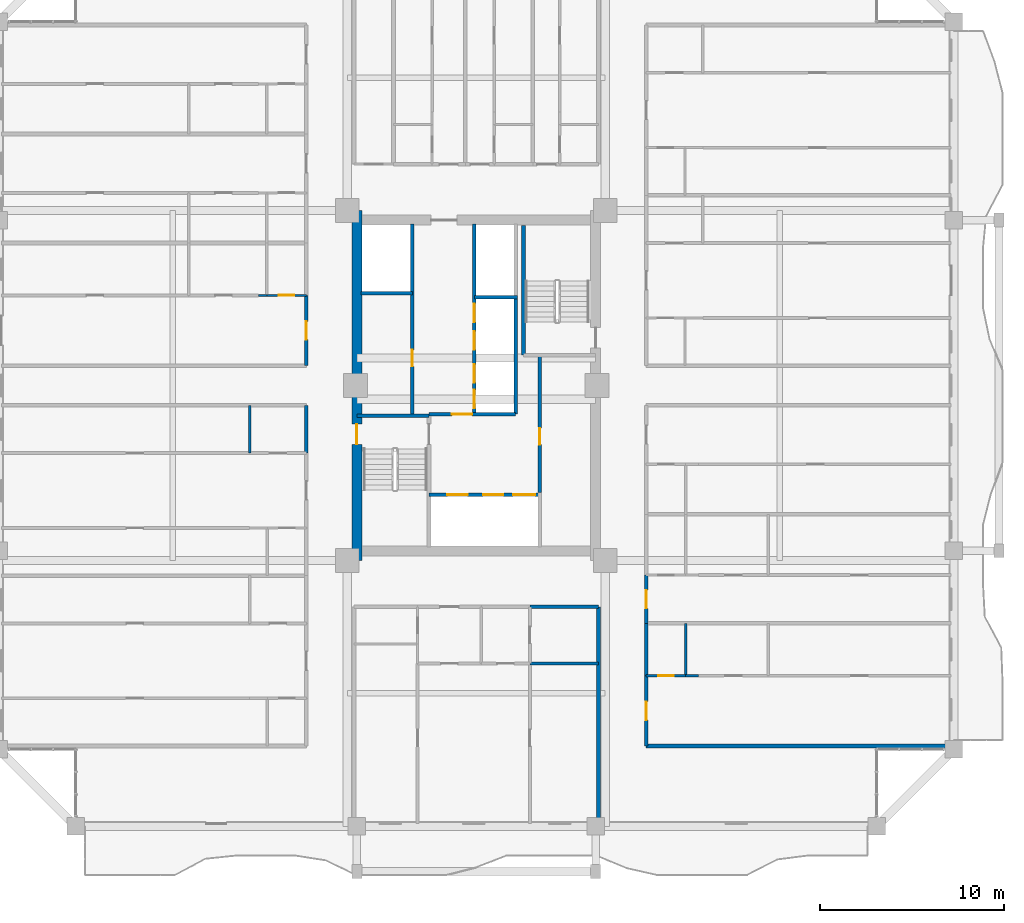
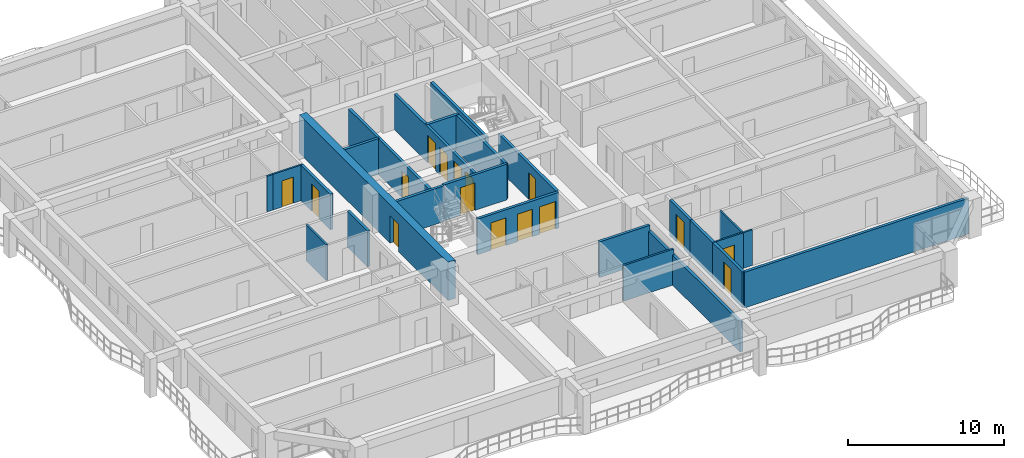
# One storey, part 16 of 26: 26 walls, 16 doors, 16 openings.
"""IFC4 building model written with IfcOpenShell, lengths in metres."""

import ifcopenshell
import ifcopenshell.guid

model = None  # the IFC model being written
_history = None  # IfcOwnerHistory: only IFC2X3 demands one
_inside = {}  # id of a spatial element -> (the spatial element, [elements in it])
_under = {}  # id of a project, library or spatial element -> (it, [spatial elements below it])
_declared = {}  # id of a project -> (the project, [libraries it declares])
_typed = {}  # id of a type object -> (the type object, [elements of that type])
_made_of = {}  # id of a material, layer set ... -> (it, [elements and type objects made of it])


def new_model(schema):
    """Start an empty IFC model of exactly this schema.

    Asked for "IFC4X3", IfcOpenShell would pick the latest addendum, in which some entities
    have other attributes; the version numbers below select the first issue.
    IFC2X3 requires an IfcOwnerHistory on every rooted entity: one is made here for all.
    """
    global model, _history
    if schema == "IFC4X3":
        model = ifcopenshell.file(schema_version=(4, 3, 0, 0))
    else:
        model = ifcopenshell.file(schema=schema)
    _inside.clear()
    _under.clear()
    _declared.clear()
    _typed.clear()
    _made_of.clear()
    _history = None
    if model.schema == "IFC2X3":
        org = make("IfcOrganization", Name="unknown")
        user = make(
            "IfcPersonAndOrganization",
            ThePerson=make("IfcPerson", FamilyName="unknown"),
            TheOrganization=org,
        )
        app = make(
            "IfcApplication",
            ApplicationDeveloper=org,
            Version="unknown",
            ApplicationFullName="unknown",
            ApplicationIdentifier="unknown",
        )
        _history = make(
            "IfcOwnerHistory",
            OwningUser=user,
            OwningApplication=app,
            ChangeAction="ADDED",
            CreationDate=0,
        )
    return model


def make(cls, **values):
    """One entity of the class cls with the attributes given. An attribute that is None is left unset."""
    return model.create_entity(
        cls, **{name: value for name, value in values.items() if value is not None}
    )


def rooted(cls, **values):
    """An entity with a GlobalId (a new one), such as an element, a storey or a relation."""
    return make(cls, GlobalId=ifcopenshell.guid.new(), OwnerHistory=_history, **values)


def si_unit(unit_type, name, prefix=None):
    """IfcSIUnit, for example si_unit("LENGTHUNIT", "METRE", prefix="MILLI")."""
    return make("IfcSIUnit", UnitType=unit_type, Prefix=prefix, Name=name)


def assignment(units):
    """IfcUnitAssignment: the units of a project."""
    return None if units is None else make("IfcUnitAssignment", Units=units)


def point(xyz):
    """IfcCartesianPoint."""
    return None if xyz is None else make("IfcCartesianPoint", Coordinates=xyz)


def direction(xyz):
    """IfcDirection."""
    return None if xyz is None else make("IfcDirection", DirectionRatios=xyz)


def frame(location, z_axis=None, x_axis=None):
    """IfcAxis2Placement3D, a coordinate frame: its origin and axes. An axis left out is left unset."""
    return make(
        "IfcAxis2Placement3D",
        Location=point(location),
        Axis=direction(z_axis),
        RefDirection=direction(x_axis),
    )


def frame_2d(location, x_axis=None):
    """IfcAxis2Placement2D, a coordinate frame in the plane: its origin and x axis."""
    return make(
        "IfcAxis2Placement2D", Location=point(location), RefDirection=direction(x_axis)
    )


def origin():
    """The frame at (0, 0, 0) with its axes left unset."""
    return frame((0.0, 0.0, 0.0))


def place(relative_to, where):
    """IfcLocalPlacement: puts the frame where relative to a parent placement (None: the world)."""
    return make(
        "IfcLocalPlacement", PlacementRelTo=relative_to, RelativePlacement=where
    )


def context(
    kind, dimensions, precision=None, world=None, true_north=None, identifier=None
):
    """IfcGeometricRepresentationContext, for example the 3D "Model" context."""
    return make(
        "IfcGeometricRepresentationContext",
        ContextIdentifier=identifier,
        ContextType=kind,
        CoordinateSpaceDimension=dimensions,
        Precision=precision,
        WorldCoordinateSystem=world,
        TrueNorth=true_north,
    )


def subcontext(parent, identifier, kind, view, scale=None):
    """IfcGeometricRepresentationSubContext, for example "Body" below "Model"."""
    return make(
        "IfcGeometricRepresentationSubContext",
        ContextIdentifier=identifier,
        ContextType=kind,
        ParentContext=parent,
        TargetScale=scale,
        TargetView=view,
    )


def project(units=None, contexts=None):
    """IfcProject with its units and contexts."""
    return rooted(
        "IfcProject",
        Name="project",
        RepresentationContexts=contexts,
        UnitsInContext=assignment(units),
    )


def spatial(cls, under=None, at=None, **own):
    """A site, building, storey or space (cls), placed at a placement, below another one or the project."""
    s = rooted(cls, ObjectPlacement=at, **own)
    if under is not None:
        _under.setdefault(under.id(), (under, []))[1].append(s)
    return s


def profile(cls, at=None, kind="AREA", **sizes):
    """A parametric profile (cls). Its sizes go by their IFC names, for example OverallWidth=200.0."""
    return make(cls, ProfileType=kind, Position=at, **sizes)


def rectangle(**sizes):
    """IfcRectangleProfileDef."""
    return profile("IfcRectangleProfileDef", **sizes)


def extrude(swept, where, along, depth):
    """IfcExtrudedAreaSolid: the profile swept, set in the frame where, extruded along a direction by depth."""
    return make(
        "IfcExtrudedAreaSolid",
        SweptArea=swept,
        Position=where,
        ExtrudedDirection=direction(along),
        Depth=depth,
    )


def shape(context_of_items, identifier, shape_type, items):
    """IfcShapeRepresentation: the items that make up one representation, for example the "Body"."""
    return make(
        "IfcShapeRepresentation",
        ContextOfItems=context_of_items,
        RepresentationIdentifier=identifier,
        RepresentationType=shape_type,
        Items=items,
    )


def source(mapping_origin, context_of_items, identifier, shape_type, items):
    """IfcRepresentationMap: a shape defined once, which mapped items show again and again."""
    return make(
        "IfcRepresentationMap",
        MappingOrigin=mapping_origin,
        MappedRepresentation=shape(context_of_items, identifier, shape_type, items),
    )


def transform(
    local_origin,
    x_axis=None,
    y_axis=None,
    z_axis=None,
    scale=None,
    scale2=None,
    scale3=None,
    uniform=True,
):
    """IfcCartesianTransformationOperator3D, or its non-uniform kind. x_axis, y_axis, z_axis: its Axis1, 2, 3."""
    if uniform:
        return make(
            "IfcCartesianTransformationOperator3D",
            Axis1=direction(x_axis),
            Axis2=direction(y_axis),
            LocalOrigin=point(local_origin),
            Scale=scale,
            Axis3=direction(z_axis),
        )
    return make(
        "IfcCartesianTransformationOperator3DnonUniform",
        Axis1=direction(x_axis),
        Axis2=direction(y_axis),
        LocalOrigin=point(local_origin),
        Scale=scale,
        Axis3=direction(z_axis),
        Scale2=scale2,
        Scale3=scale3,
    )


def mapped(mapping_source, mapping_target):
    """IfcMappedItem: shows the shape of a source again, moved by a transform."""
    return make(
        "IfcMappedItem", MappingSource=mapping_source, MappingTarget=mapping_target
    )


def material(Name=None, Category=None):
    """IfcMaterial."""
    return make("IfcMaterial", Name=Name, Category=Category)


def layer(
    of_material, thickness, ventilated=None, Name=None, Category=None, Priority=None
):
    """IfcMaterialLayer: one layer of a wall or slab, of a material (None: an air gap)."""
    return make(
        "IfcMaterialLayer",
        Material=of_material,
        LayerThickness=thickness,
        IsVentilated=ventilated,
        Name=Name,
        Category=Category,
        Priority=Priority,
    )


def layer_set(layers, Name=None):
    """IfcMaterialLayerSet."""
    return make("IfcMaterialLayerSet", MaterialLayers=layers, LayerSetName=Name)


def made_of(thing, what):
    """Note that an element or type object is made of a material, layer set ...; save() writes the relation."""
    if what is not None:
        _made_of.setdefault(what.id(), (what, []))[1].append(thing)
    return thing


def type_object(cls, material=None, **own):
    """A type object (cls), such as IfcWallType, which elements share."""
    return made_of(rooted(cls, **own), material)


def element(
    cls,
    number,
    at=None,
    inside=None,
    cuts=None,
    type_object=None,
    material=None,
    context=None,
    identifier="Body",
    shape_type=None,
    held_by="IfcProductDefinitionShape",
    body=None,
    shapes=None,
    **own,
):
    """One element of the class cls, such as IfcWall. Its Tag is "e" and its number.

    at: its placement. inside: the storey or other place that contains it. cuts: it is an
    opening in that element (IfcRelVoidsElement). A single representation is given by context,
    identifier, shape_type and body (its items); several are given by shapes. held_by: the class
    of the entity that holds the representations. save() writes the other relations.
    """
    e = rooted(cls, Tag="e%d" % number, ObjectPlacement=at, **own)
    if body is not None:
        shapes = [shape(context, identifier, shape_type, body)]
    if shapes is not None:
        e.Representation = make(held_by, Representations=shapes)
    if inside is not None:
        _inside.setdefault(inside.id(), (inside, []))[1].append(e)
    if cuts is not None:
        rooted(
            "IfcRelVoidsElement", RelatingBuildingElement=cuts, RelatedOpeningElement=e
        )
    if type_object is not None:
        _typed.setdefault(type_object.id(), (type_object, []))[1].append(e)
    return made_of(e, material)


def fill(opening, filler):
    """IfcRelFillsElement: the door or window that sits in an opening."""
    return rooted(
        "IfcRelFillsElement",
        RelatingOpeningElement=opening,
        RelatedBuildingElement=filler,
    )


def aggregate(whole, parts):
    """IfcRelAggregates: a whole, such as a stair, and the parts it consists of."""
    return rooted("IfcRelAggregates", RelatingObject=whole, RelatedObjects=parts)


def save(model, path):
    """Write the relations noted so far, then the file.

    IfcRelAggregates (storeys below a building ...), IfcRelContainedInSpatialStructure (elements
    in a storey), IfcRelDefinesByType, IfcRelAssociatesMaterial and IfcRelDeclares: one each for
    every whole, place, type object, material and project.
    """
    for whole, parts in _under.values():
        aggregate(whole, parts)
    for where, things in _inside.values():
        rooted(
            "IfcRelContainedInSpatialStructure",
            RelatedElements=things,
            RelatingStructure=where,
        )
    for kind, things in _typed.values():
        rooted("IfcRelDefinesByType", RelatedObjects=things, RelatingType=kind)
    for what, things in _made_of.values():
        rooted("IfcRelAssociatesMaterial", RelatedObjects=things, RelatingMaterial=what)
    for by, libraries in _declared.values():
        rooted("IfcRelDeclares", RelatingContext=by, RelatedDefinitions=libraries)
    model.write(path)


model = new_model("IFC4")

# Units and contexts
model_context = context("Model", 3, precision=1e-05, world=origin(), true_north=direction((0.0, 1.0)))
body_context = subcontext(model_context, "Body", "Model", "MODEL_VIEW")
ifc_project = project(units=[si_unit("LENGTHUNIT", "METRE"), si_unit("AREAUNIT", "SQUARE_METRE"), si_unit("VOLUMEUNIT", "CUBIC_METRE"), si_unit("PLANEANGLEUNIT", "RADIAN"), si_unit("MASSUNIT", "GRAM", prefix="KILO")], contexts=[model_context])

# Site, building, storey
site_placement = place(None, origin())
site = spatial("IfcSite", under=ifc_project, at=site_placement, CompositionType="ELEMENT")
building_placement = place(site_placement, origin())
building = spatial("IfcBuilding", under=site, at=building_placement, Name="Saelheon Loggia Tower", CompositionType="ELEMENT")
storey_placement = place(building_placement, frame((0.0, 0.0, 116.85009765625)))
storey = spatial("IfcBuildingStorey", under=building, at=storey_placement, Name="L37", CompositionType="ELEMENT", Elevation=116.85009765625)

# Wall, opening, door
ifc_material_1 = material(Name="Concrete C50/60", Category="concrete")
ifc_layer_1 = layer(ifc_material_1, 0.550048828125)
ifc_layer_set_1 = layer_set([ifc_layer_1], Name="Concrete C50/60")
wall_type_1 = type_object("IfcWallType", Name="Wall_CoreShear_550", PredefinedType="SHEAR", material=ifc_layer_set_1)
wall_1_placement = place(storey_placement, frame((31.5, 17.47998046875, 0.0), z_axis=(0.0, 0.0, 1.0), x_axis=(0.0, 1.0, 0.0)))
wall_1 = element("IfcWall", 1, at=wall_1_placement, inside=storey, type_object=wall_type_1, Name="L37 Core Shear Wall West", PredefinedType="SHEAR", context=body_context, shape_type="SweptSolid", body=[
    extrude(rectangle(XDim=19.0400390625, YDim=0.550048828125, at=frame_2d((9.52001953125, 0.0))), origin(), (0.0, 0.0, 1.0), 3.0),
])
opening_1_placement = place(wall_1_placement, frame((6.320068359375, 0.0, 0.0)))
opening_1 = element("IfcOpeningElement", 2, at=opening_1_placement, cuts=wall_1, Name="Opening D-FD2", PredefinedType="OPENING", context=body_context, shape_type="SweptSolid", body=[
    extrude(rectangle(XDim=1.10009765625, YDim=2.14990234375, at=frame_2d((0.550048828125, 1.074951171875))), frame((0.0, 0.287109375, 0.0), z_axis=(0.0, -1.0, 0.0), x_axis=(1.0, 0.0, 0.0)), (0.0, 0.0, 1.0), 0.573974609375),
])
ifc_material_2 = material(Name="Galvanised Steel Fire Door", Category="steel")
door_type_1 = type_object("IfcDoorType", Name="Door_Fire_FD60_1100", OperationType="NOTDEFINED", PredefinedType="DOOR", material=ifc_material_2)
shared_shape_1 = source(origin(), body_context, "Body", "SweptSolid", [
    extrude(rectangle(XDim=1.10009765625, YDim=2.14990234375, at=frame_2d((0.550048828125, 1.074951171875))), frame((0.0, 0.02490234375, 0.0), z_axis=(0.0, -1.0, 0.0), x_axis=(1.0, 0.0, 0.0)), (0.0, 0.0, 1.0), 0.050048828125),
])
door_1_placement = place(opening_1_placement, origin())
door_1 = element("IfcDoor", 3, at=door_1_placement, inside=storey, type_object=door_type_1, Name="L37 Stair ST1 Corridor Door", OperationType="SINGLE_SWING_LEFT", OverallHeight=2.14990234375, OverallWidth=1.10009765625, PredefinedType="DOOR", context=body_context, shape_type="MappedRepresentation", body=[
    mapped(shared_shape_1, transform((0.0, 0.0, 0.0), scale=1.0)),
])
fill(opening_1, door_1)

# Walls
ifc_material_3 = material(Name="Lightweight Autoclaved Aerated Concrete Block and Acoustic Gypsum", Category="concrete")
ifc_layer_2 = layer(ifc_material_3, 0.14990234375)
ifc_layer_set_2 = layer_set([ifc_layer_2], Name="Lightweight Autoclaved Aerated Concrete Block and Acoustic Gypsum")
wall_type_2 = type_object("IfcWallType", Name="Wall_Part_150", PredefinedType="PARTITIONING", material=ifc_layer_set_2)
wall_2_placement = place(storey_placement, frame((40.9228515625, 11.8701171875, 0.0), z_axis=(0.0, 0.0, 1.0), x_axis=(1.0, 0.0, 0.0)))
element("IfcWall", 4, at=wall_2_placement, inside=storey, type_object=wall_type_2, Name="L37 S Partition V11", PredefinedType="PARTITIONING", context=body_context, shape_type="SweptSolid", body=[
    extrude(rectangle(XDim=3.72705078125, YDim=0.14990234375, at=frame_2d((1.863525390625, 0.0))), origin(), (0.0, 0.0, 1.0), 2.789794921875),
])
wall_3_placement = place(storey_placement, frame((25.669921875, 23.320068359375, 0.0), z_axis=(0.0, 0.0, 1.0), x_axis=(0.0, 1.0, 0.0)))
element("IfcWall", 5, at=wall_3_placement, inside=storey, type_object=wall_type_2, Name="L37 WS Partition V18", PredefinedType="PARTITIONING", context=body_context, shape_type="SweptSolid", body=[
    extrude(rectangle(XDim=2.599853515625, YDim=0.14990234375, at=frame_2d((1.2998046875, 0.0))), origin(), (0.0, 0.0, 1.0), 2.789794921875),
])
ifc_material_4 = material(Name="Double Acoustic Stud and Fireboard Partition", Category="gypsum")
ifc_layer_3 = layer(ifc_material_4, 0.199951171875)
ifc_layer_set_3 = layer_set([ifc_layer_3], Name="Double Acoustic Stud and Fireboard Partition")
wall_type_3 = type_object("IfcWallType", Name="Wall_Party_200", PredefinedType="PARTITIONING", material=ifc_layer_set_3)
wall_4_placement = place(storey_placement, frame((44.64990234375, 14.949951171875, 0.0), z_axis=(0.0, 0.0, 1.0), x_axis=(0.0, -1.0, 0.0)))
element("IfcWall", 6, at=wall_4_placement, inside=storey, type_object=wall_type_3, Name="L37 S Partition U02", PredefinedType="PARTITIONING", context=body_context, shape_type="SweptSolid", body=[
    extrude(rectangle(XDim=11.800048828125, YDim=0.199951171875, at=frame_2d((5.89990234375, 0.0))), origin(), (0.0, 0.0, 1.0), 2.33984375),
])
wall_5_placement = place(storey_placement, frame((40.9228515625, 14.949951171875, 0.0), z_axis=(0.0, 0.0, 1.0), x_axis=(1.0, 0.0, 0.0)))
element("IfcWall", 7, at=wall_5_placement, inside=storey, type_object=wall_type_3, Name="L37 S Partition V09", PredefinedType="PARTITIONING", context=body_context, shape_type="SweptSolid", body=[
    extrude(rectangle(XDim=3.72705078125, YDim=0.199951171875, at=frame_2d((1.863525390625, 0.0))), origin(), (0.0, 0.0, 1.0), 2.789794921875),
])
wall_6_placement = place(storey_placement, frame((28.75, 23.320068359375, 0.0), z_axis=(0.0, 0.0, 1.0), x_axis=(0.0, 1.0, 0.0)))
element("IfcWall", 8, at=wall_6_placement, inside=storey, type_object=wall_type_3, Name="L37 WS Partition V16", PredefinedType="PARTITIONING", context=body_context, shape_type="SweptSolid", body=[
    extrude(rectangle(XDim=2.599853515625, YDim=0.199951171875, at=frame_2d((1.2998046875, 0.0))), origin(), (0.0, 0.0, 1.0), 2.789794921875),
])

# Wall, opening, door
wall_7_placement = place(storey_placement, frame((28.75, 28.080078125, 0.0), z_axis=(0.0, 0.0, 1.0), x_axis=(0.0, 1.0, 0.0)))
wall_7 = element("IfcWall", 9, at=wall_7_placement, inside=storey, type_object=wall_type_3, Name="L37 WN Partition V03", PredefinedType="PARTITIONING", context=body_context, shape_type="SweptSolid", body=[
    extrude(rectangle(XDim=3.82421875, YDim=0.199951171875, at=frame_2d((1.912109375, 0.0))), origin(), (0.0, 0.0, 1.0), 2.789794921875),
])
opening_2_placement = place(wall_7_placement, frame((1.412109375, 0.0, 0.0)))
opening_2 = element("IfcOpeningElement", 10, at=opening_2_placement, cuts=wall_7, Name="Opening D-FD1", PredefinedType="OPENING", context=body_context, shape_type="SweptSolid", body=[
    extrude(rectangle(XDim=1.0, YDim=2.14990234375, at=frame_2d((0.5, 1.074951171875))), frame((0.0, 0.112060546875, 0.0), z_axis=(0.0, -1.0, 0.0), x_axis=(1.0, 0.0, 0.0)), (0.0, 0.0, 1.0), 0.223876953125),
])
ifc_material_5 = material(Name="Fire-Rated Engineered Timber Entrance Door", Category="wood")
door_type_2 = type_object("IfcDoorType", Name="Door_Flat_FD30S", OperationType="NOTDEFINED", PredefinedType="DOOR", material=ifc_material_5)
shared_shape_2 = source(origin(), body_context, "Body", "SweptSolid", [
    extrude(rectangle(XDim=1.0, YDim=2.14990234375, at=frame_2d((0.5, 1.074951171875))), frame((0.0, 0.02490234375, 0.0), z_axis=(0.0, -1.0, 0.0), x_axis=(1.0, 0.0, 0.0)), (0.0, 0.0, 1.0), 0.050048828125),
])
door_2_placement = place(opening_2_placement, origin())
door_2 = element("IfcDoor", 11, at=door_2_placement, inside=storey, type_object=door_type_2, Name="Unit U07 Entrance Door", OperationType="SINGLE_SWING_LEFT", OverallHeight=2.14990234375, OverallWidth=1.0, PredefinedType="DOOR", context=body_context, shape_type="MappedRepresentation", body=[
    mapped(shared_shape_2, transform((0.0, 0.0, 0.0), scale=1.0)),
])
fill(opening_2, door_2)

# Wall
wall_8_placement = place(storey_placement, frame((47.25, 7.3798828125, 0.0), z_axis=(0.0, 0.0, 1.0), x_axis=(1.0, 0.0, 0.0)))
element("IfcWall", 12, at=wall_8_placement, inside=storey, type_object=wall_type_3, Name="L37 ES Partition U01", PredefinedType="PARTITIONING", context=body_context, shape_type="SweptSolid", body=[
    extrude(rectangle(XDim=16.60009765625, YDim=0.199951171875, at=frame_2d((8.300048828125, 0.0))), origin(), (0.0, 0.0, 1.0), 2.789794921875),
])

# Wall, opening, door
wall_9_placement = place(storey_placement, frame((47.25, 7.3798828125, 0.0), z_axis=(0.0, 0.0, 1.0), x_axis=(0.0, 1.0, 0.0)))
wall_9 = element("IfcWall", 13, at=wall_9_placement, inside=storey, type_object=wall_type_3, Name="L37 ES Partition V03", PredefinedType="PARTITIONING", context=body_context, shape_type="SweptSolid", body=[
    extrude(rectangle(XDim=3.824462890625, YDim=0.199951171875, at=frame_2d((1.912109375, 0.0))), origin(), (0.0, 0.0, 1.0), 2.789794921875),
])
opening_3_placement = place(wall_9_placement, frame((1.412109375, 0.0, 0.0)))
opening_3 = element("IfcOpeningElement", 14, at=opening_3_placement, cuts=wall_9, Name="Opening D-FD1", PredefinedType="OPENING", context=body_context, shape_type="SweptSolid", body=[
    extrude(rectangle(XDim=1.0, YDim=2.14990234375, at=frame_2d((0.5, 1.074951171875))), frame((0.0, 0.112060546875, 0.0), z_axis=(0.0, -1.0, 0.0), x_axis=(1.0, 0.0, 0.0)), (0.0, 0.0, 1.0), 0.223876953125),
])
door_3_placement = place(opening_3_placement, origin())
door_3 = element("IfcDoor", 15, at=door_3_placement, inside=storey, type_object=door_type_2, Name="Unit U10 Entrance Door", OperationType="SINGLE_SWING_LEFT", OverallHeight=2.14990234375, OverallWidth=1.0, PredefinedType="DOOR", context=body_context, shape_type="MappedRepresentation", body=[
    mapped(shared_shape_2, transform((0.0, 0.0, 0.0), scale=1.0)),
])
fill(opening_3, door_3)

# Wall
wall_10_placement = place(storey_placement, frame((47.25, 11.204345703125, 0.0), z_axis=(0.0, 0.0, 1.0), x_axis=(0.0, 1.0, 0.0)))
element("IfcWall", 16, at=wall_10_placement, inside=storey, type_object=wall_type_3, Name="L37 ES Partition V04", PredefinedType="PARTITIONING", context=body_context, shape_type="SweptSolid", body=[
    extrude(rectangle(XDim=2.85009765625, YDim=0.199951171875, at=frame_2d((1.425048828125, 0.0))), origin(), (0.0, 0.0, 1.0), 2.789794921875),
])

# Wall, opening, door
wall_11_placement = place(storey_placement, frame((47.25, 14.054443359375, 0.0), z_axis=(0.0, 0.0, 1.0), x_axis=(0.0, 1.0, 0.0)))
wall_11 = element("IfcWall", 17, at=wall_11_placement, inside=storey, type_object=wall_type_3, Name="L37 ES Partition V12", PredefinedType="PARTITIONING", context=body_context, shape_type="SweptSolid", body=[
    extrude(rectangle(XDim=2.62548828125, YDim=0.199951171875, at=frame_2d((1.312744140625, 0.0))), origin(), (0.0, 0.0, 1.0), 2.789794921875),
])
opening_4_placement = place(wall_11_placement, frame((0.812744140625, 0.0, 0.0)))
opening_4 = element("IfcOpeningElement", 18, at=opening_4_placement, cuts=wall_11, Name="Opening D-FD1", PredefinedType="OPENING", context=body_context, shape_type="SweptSolid", body=[
    extrude(rectangle(XDim=1.0, YDim=2.14990234375, at=frame_2d((0.5, 1.074951171875))), frame((0.0, 0.112060546875, 0.0), z_axis=(0.0, -1.0, 0.0), x_axis=(1.0, 0.0, 0.0)), (0.0, 0.0, 1.0), 0.223876953125),
])
door_4_placement = place(opening_4_placement, origin())
door_4 = element("IfcDoor", 19, at=door_4_placement, inside=storey, type_object=door_type_2, Name="Unit U11 Entrance Door", OperationType="SINGLE_SWING_LEFT", OverallHeight=2.14990234375, OverallWidth=1.0, PredefinedType="DOOR", context=body_context, shape_type="MappedRepresentation", body=[
    mapped(shared_shape_2, transform((0.0, 0.0, 0.0), scale=1.0)),
])
fill(opening_4, door_4)

ifc_material_6 = material(Name="Concrete C40/50", Category="concrete")
ifc_layer_4 = layer(ifc_material_6, 0.199951171875)
ifc_layer_set_4 = layer_set([ifc_layer_4], Name="Concrete C40/50")
wall_type_4 = type_object("IfcWallType", Name="Wall_Shaft_200", PredefinedType="PARTITIONING", material=ifc_layer_set_4)
wall_12_placement = place(storey_placement, frame((41.449951171875, 21.179931640625, 0.0), z_axis=(0.0, 0.0, 1.0), x_axis=(0.0, 1.0, 0.0)))
wall_12 = element("IfcWall", 20, at=wall_12_placement, inside=storey, type_object=wall_type_4, Name="CW-INT-L37-BOH-W1", PredefinedType="PARTITIONING", context=body_context, shape_type="SweptSolid", body=[
    extrude(rectangle(XDim=7.420166015625, YDim=0.199951171875, at=frame_2d((3.7099609375, 0.0))), origin(), (0.0, 0.0, 1.0), 2.789794921875),
])
opening_5_placement = place(wall_12_placement, frame((2.60009765625, 0.0, 0.0)))
opening_5 = element("IfcOpeningElement", 21, at=opening_5_placement, cuts=wall_12, Name="Opening D-RS1", PredefinedType="OPENING", context=body_context, shape_type="SweptSolid", body=[
    extrude(rectangle(XDim=0.89990234375, YDim=2.10009765625, at=frame_2d((0.449951171875, 1.050048828125))), frame((0.0, 0.112060546875, 0.0), z_axis=(0.0, -1.0, 0.0), x_axis=(1.0, 0.0, 0.0)), (0.0, 0.0, 1.0), 0.223876953125),
])
ifc_material_7 = material(Name="Galvanised Steel Riser Access Door", Category="steel")
door_type_3 = type_object("IfcDoorType", Name="Door_Riser_FD60", OperationType="NOTDEFINED", PredefinedType="DOOR", material=ifc_material_7)
shared_shape_3 = source(origin(), body_context, "Body", "SweptSolid", [
    extrude(rectangle(XDim=0.89990234375, YDim=2.10009765625, at=frame_2d((0.449951171875, 1.050048828125))), frame((0.0, 0.02490234375, 0.0), z_axis=(0.0, -1.0, 0.0), x_axis=(1.0, 0.0, 0.0)), (0.0, 0.0, 1.0), 0.050048828125),
])
door_5_placement = place(opening_5_placement, origin())
door_5 = element("IfcDoor", 22, at=door_5_placement, inside=storey, type_object=door_type_3, Name="L37 Core Service Store Door", OperationType="SINGLE_SWING_RIGHT", OverallHeight=2.10009765625, OverallWidth=0.89990234375, PredefinedType="DOOR", context=body_context, shape_type="MappedRepresentation", body=[
    mapped(shared_shape_3, transform((0.0, 0.0, 0.0), scale=1.0)),
])
fill(opening_5, door_5)

# Wall
wall_13_placement = place(storey_placement, frame((40.14990234375, 25.43994140625, 0.0), z_axis=(0.0, 0.0, 1.0), x_axis=(0.0, 1.0, 0.0)))
element("IfcWall", 23, at=wall_13_placement, inside=storey, type_object=wall_type_4, Name="L37 Core Service Passage West Wall", PredefinedType="PARTITIONING", context=body_context, shape_type="SweptSolid", body=[
    extrude(rectangle(XDim=6.360107421875, YDim=0.199951171875, at=frame_2d((3.18017578125, 0.0))), origin(), (0.0, 0.0, 1.0), 2.789794921875),
])

# Wall, openings, doors
wall_14_placement = place(storey_placement, frame((35.429931640625, 21.06005859375, 0.0), z_axis=(0.0, 0.0, 1.0), x_axis=(1.0, 0.0, 0.0)))
wall_14 = element("IfcWall", 24, at=wall_14_placement, inside=storey, type_object=wall_type_4, Name="L37 Firefighting Lift Shaft Front Wall", PredefinedType="PARTITIONING", context=body_context, shape_type="SweptSolid", body=[
    extrude(rectangle(XDim=6.02001953125, YDim=0.199951171875, at=frame_2d((3.010009765625, 0.0))), origin(), (0.0, 0.0, 1.0), 2.789794921875),
])
opening_6_placement = place(wall_14_placement, frame((1.0, 0.0, 0.0)))
opening_6 = element("IfcOpeningElement", 25, at=opening_6_placement, cuts=wall_14, Name="Opening LD2", PredefinedType="OPENING", context=body_context, shape_type="SweptSolid", body=[
    extrude(rectangle(XDim=1.10009765625, YDim=2.14990234375, at=frame_2d((0.550048828125, 1.074951171875))), frame((0.0, 0.112060546875, 0.0), z_axis=(0.0, -1.0, 0.0), x_axis=(1.0, 0.0, 0.0)), (0.0, 0.0, 1.0), 0.223876953125),
])
opening_7_placement = place(wall_14_placement, frame((2.949951171875, 0.0, 0.0)))
opening_7 = element("IfcOpeningElement", 26, at=opening_7_placement, cuts=wall_14, Name="Opening LD2", PredefinedType="OPENING", context=body_context, shape_type="SweptSolid", body=[
    extrude(rectangle(XDim=1.10009765625, YDim=2.14990234375, at=frame_2d((0.550048828125, 1.074951171875))), frame((0.0, 0.112060546875, 0.0), z_axis=(0.0, -1.0, 0.0), x_axis=(1.0, 0.0, 0.0)), (0.0, 0.0, 1.0), 0.223876953125),
])
opening_8_placement = place(wall_14_placement, frame((4.580078125, 0.0, 0.0)))
opening_8 = element("IfcOpeningElement", 27, at=opening_8_placement, cuts=wall_14, Name="Opening LD3", PredefinedType="OPENING", context=body_context, shape_type="SweptSolid", body=[
    extrude(rectangle(XDim=1.199951171875, YDim=2.14990234375, at=frame_2d((0.60009765625, 1.074951171875))), frame((0.0, 0.112060546875, 0.0), z_axis=(0.0, -1.0, 0.0), x_axis=(1.0, 0.0, 0.0)), (0.0, 0.0, 1.0), 0.223876953125),
])
ifc_material_8 = material(Name="Firefighting Stainless Steel 316 Landing Door", Category="steel")
door_type_4 = type_object("IfcDoorType", Name="Door_Lift_LD2", OperationType="DOUBLE_DOOR_SLIDING", PredefinedType="DOOR", material=ifc_material_8)
door_6_placement = place(opening_6_placement, origin())
door_6 = element("IfcDoor", 28, at=door_6_placement, inside=storey, type_object=door_type_4, Name="L37 FF1 Landing Door", OperationType="DOUBLE_DOOR_SLIDING", OverallHeight=2.14990234375, OverallWidth=1.10009765625, PredefinedType="DOOR", context=body_context, shape_type="MappedRepresentation", body=[
    mapped(shared_shape_1, transform((0.0, 0.0, 0.0), scale=1.0)),
])
fill(opening_6, door_6)
door_7_placement = place(opening_7_placement, origin())
door_7 = element("IfcDoor", 29, at=door_7_placement, inside=storey, type_object=door_type_4, Name="L37 FF2 Landing Door", OperationType="DOUBLE_DOOR_SLIDING", OverallHeight=2.14990234375, OverallWidth=1.10009765625, PredefinedType="DOOR", context=body_context, shape_type="MappedRepresentation", body=[
    mapped(shared_shape_1, transform((0.0, 0.0, 0.0), scale=1.0)),
])
fill(opening_7, door_7)
ifc_material_9 = material(Name="Stretcher Lift Stainless Steel 304 Landing Door", Category="steel")
door_type_5 = type_object("IfcDoorType", Name="Door_Lift_LD3", OperationType="DOUBLE_DOOR_SLIDING", PredefinedType="DOOR", material=ifc_material_9)
shared_shape_4 = source(origin(), body_context, "Body", "SweptSolid", [
    extrude(rectangle(XDim=1.199951171875, YDim=2.14990234375, at=frame_2d((0.60009765625, 1.074951171875))), frame((0.0, 0.02490234375, 0.0), z_axis=(0.0, -1.0, 0.0), x_axis=(1.0, 0.0, 0.0)), (0.0, 0.0, 1.0), 0.050048828125),
])
door_8_placement = place(opening_8_placement, origin())
door_8 = element("IfcDoor", 30, at=door_8_placement, inside=storey, type_object=door_type_5, Name="L37 SV1 Landing Door", OperationType="DOUBLE_DOOR_SLIDING", OverallHeight=2.14990234375, OverallWidth=1.199951171875, PredefinedType="DOOR", context=body_context, shape_type="MappedRepresentation", body=[
    mapped(shared_shape_4, transform((0.0, 0.0, 0.0), scale=1.0)),
])
fill(opening_8, door_8)

# Wall, opening, door
wall_15_placement = place(storey_placement, frame((35.429931640625, 25.43994140625, 0.0), z_axis=(0.0, 0.0, 1.0), x_axis=(1.0, 0.0, 0.0)))
wall_15 = element("IfcWall", 31, at=wall_15_placement, inside=storey, type_object=wall_type_4, Name="L37 Firefighting Lobby Compartment Wall", PredefinedType="PARTITIONING", context=body_context, shape_type="SweptSolid", body=[
    extrude(rectangle(XDim=4.719970703125, YDim=0.199951171875, at=frame_2d((2.35986328125, 0.0))), origin(), (0.0, 0.0, 1.0), 2.789794921875),
])
opening_9_placement = place(wall_15_placement, frame((1.25, 0.0, 0.0)))
opening_9 = element("IfcOpeningElement", 32, at=opening_9_placement, cuts=wall_15, Name="Opening D-FD2", PredefinedType="OPENING", context=body_context, shape_type="SweptSolid", body=[
    extrude(rectangle(XDim=1.10009765625, YDim=2.14990234375, at=frame_2d((0.550048828125, 1.074951171875))), frame((0.0, 0.112060546875, 0.0), z_axis=(0.0, -1.0, 0.0), x_axis=(1.0, 0.0, 0.0)), (0.0, 0.0, 1.0), 0.223876953125),
])
door_9_placement = place(opening_9_placement, origin())
door_9 = element("IfcDoor", 33, at=door_9_placement, inside=storey, type_object=door_type_1, Name="L37 Firefighting Lobby Door", OperationType="SINGLE_SWING_LEFT", OverallHeight=2.14990234375, OverallWidth=1.10009765625, PredefinedType="DOOR", context=body_context, shape_type="MappedRepresentation", body=[
    mapped(shared_shape_1, transform((0.0, 0.0, 0.0), scale=1.0)),
])
fill(opening_9, door_9)

wall_16_placement = place(storey_placement, frame((34.52001953125, 25.43994140625, 0.0), z_axis=(0.0, 0.0, 1.0), x_axis=(0.0, 1.0, 0.0)))
wall_16 = element("IfcWall", 34, at=wall_16_placement, inside=storey, type_object=wall_type_4, Name="L37 West Passenger Lift Bank Wall", PredefinedType="PARTITIONING", context=body_context, shape_type="SweptSolid", body=[
    extrude(rectangle(XDim=10.340087890625, YDim=0.199951171875, at=frame_2d((5.169921875, 0.0))), origin(), (0.0, 0.0, 1.0), 2.789794921875),
])
opening_10_placement = place(wall_16_placement, frame((2.60009765625, 0.0, 0.0)))
opening_10 = element("IfcOpeningElement", 35, at=opening_10_placement, cuts=wall_16, Name="Opening D-RS1", PredefinedType="OPENING", context=body_context, shape_type="SweptSolid", body=[
    extrude(rectangle(XDim=0.89990234375, YDim=2.10009765625, at=frame_2d((0.449951171875, 1.050048828125))), frame((0.0, 0.112060546875, 0.0), z_axis=(0.0, -1.0, 0.0), x_axis=(1.0, 0.0, 0.0)), (0.0, 0.0, 1.0), 0.223876953125),
])
door_10_placement = place(opening_10_placement, origin())
door_10 = element("IfcDoor", 36, at=door_10_placement, inside=storey, type_object=door_type_3, Name="L37 Core Parcel Room Door", OperationType="SINGLE_SWING_LEFT", OverallHeight=2.10009765625, OverallWidth=0.89990234375, PredefinedType="DOOR", context=body_context, shape_type="MappedRepresentation", body=[
    mapped(shared_shape_3, transform((0.0, 0.0, 0.0), scale=1.0)),
])
fill(opening_10, door_10)

# Wall
wall_17_placement = place(storey_placement, frame((31.719970703125, 32.02001953125, 0.0), z_axis=(0.0, 0.0, 1.0), x_axis=(1.0, 0.0, 0.0)))
element("IfcWall", 37, at=wall_17_placement, inside=storey, type_object=wall_type_4, Name="L37 West High-Rise Shaft Divider", PredefinedType="PARTITIONING", context=body_context, shape_type="SweptSolid", body=[
    extrude(rectangle(XDim=2.800048828125, YDim=0.199951171875, at=frame_2d((1.39990234375, 0.0))), origin(), (0.0, 0.0, 1.0), 2.789794921875),
])

# Wall, openings, doors
wall_18_placement = place(storey_placement, frame((37.89990234375, 25.43994140625, 0.0), z_axis=(0.0, 0.0, 1.0), x_axis=(0.0, 1.0, 0.0)))
wall_18 = element("IfcWall", 38, at=wall_18_placement, inside=storey, type_object=wall_type_4, Name="L37 East Passenger Lift Bank Wall", PredefinedType="PARTITIONING", context=body_context, shape_type="SweptSolid", body=[
    extrude(rectangle(XDim=10.340087890625, YDim=0.199951171875, at=frame_2d((5.169921875, 0.0))), origin(), (0.0, 0.0, 1.0), 2.789794921875),
])
opening_11_placement = place(wall_18_placement, frame((0.320068359375, 0.0, 0.0)))
opening_11 = element("IfcOpeningElement", 39, at=opening_11_placement, cuts=wall_18, Name="Opening LD1", PredefinedType="OPENING", context=body_context, shape_type="SweptSolid", body=[
    extrude(rectangle(XDim=1.0, YDim=2.14990234375, at=frame_2d((0.5, 1.074951171875))), frame((0.0, 0.112060546875, 0.0), z_axis=(0.0, -1.0, 0.0), x_axis=(1.0, 0.0, 0.0)), (0.0, 0.0, 1.0), 0.223876953125),
])
opening_12_placement = place(wall_18_placement, frame((1.7099609375, 0.0, 0.0)))
opening_12 = element("IfcOpeningElement", 40, at=opening_12_placement, cuts=wall_18, Name="Opening LD1", PredefinedType="OPENING", context=body_context, shape_type="SweptSolid", body=[
    extrude(rectangle(XDim=1.0, YDim=2.14990234375, at=frame_2d((0.5, 1.074951171875))), frame((0.0, 0.112060546875, 0.0), z_axis=(0.0, -1.0, 0.0), x_axis=(1.0, 0.0, 0.0)), (0.0, 0.0, 1.0), 0.223876953125),
])
opening_13_placement = place(wall_18_placement, frame((3.510009765625, 0.0, 0.0)))
opening_13 = element("IfcOpeningElement", 41, at=opening_13_placement, cuts=wall_18, Name="Opening LD1", PredefinedType="OPENING", context=body_context, shape_type="SweptSolid", body=[
    extrude(rectangle(XDim=1.0, YDim=2.14990234375, at=frame_2d((0.5, 1.074951171875))), frame((0.0, 0.112060546875, 0.0), z_axis=(0.0, -1.0, 0.0), x_axis=(1.0, 0.0, 0.0)), (0.0, 0.0, 1.0), 0.223876953125),
])
opening_14_placement = place(wall_18_placement, frame((5.010009765625, 0.0, 0.0)))
opening_14 = element("IfcOpeningElement", 42, at=opening_14_placement, cuts=wall_18, Name="Opening LD1", PredefinedType="OPENING", context=body_context, shape_type="SweptSolid", body=[
    extrude(rectangle(XDim=1.0, YDim=2.14990234375, at=frame_2d((0.5, 1.074951171875))), frame((0.0, 0.112060546875, 0.0), z_axis=(0.0, -1.0, 0.0), x_axis=(1.0, 0.0, 0.0)), (0.0, 0.0, 1.0), 0.223876953125),
])
ifc_material_10 = material(Name="Brushed Stainless Steel 304 Landing Door", Category="steel")
door_type_6 = type_object("IfcDoorType", Name="Door_Lift_LD1", OperationType="DOUBLE_DOOR_SLIDING", PredefinedType="DOOR", material=ifc_material_10)
door_11_placement = place(opening_11_placement, origin())
door_11 = element("IfcDoor", 43, at=door_11_placement, inside=storey, type_object=door_type_6, Name="L37 PM1 Landing Door", OperationType="DOUBLE_DOOR_SLIDING", OverallHeight=2.14990234375, OverallWidth=1.0, PredefinedType="DOOR", context=body_context, shape_type="MappedRepresentation", body=[
    mapped(shared_shape_2, transform((0.0, 0.0, 0.0), scale=1.0)),
])
fill(opening_11, door_11)
door_12_placement = place(opening_12_placement, origin())
door_12 = element("IfcDoor", 44, at=door_12_placement, inside=storey, type_object=door_type_6, Name="L37 PM2 Landing Door", OperationType="DOUBLE_DOOR_SLIDING", OverallHeight=2.14990234375, OverallWidth=1.0, PredefinedType="DOOR", context=body_context, shape_type="MappedRepresentation", body=[
    mapped(shared_shape_2, transform((0.0, 0.0, 0.0), scale=1.0)),
])
fill(opening_12, door_12)
door_13_placement = place(opening_13_placement, origin())
door_13 = element("IfcDoor", 45, at=door_13_placement, inside=storey, type_object=door_type_6, Name="L37 PM3 Landing Door", OperationType="DOUBLE_DOOR_SLIDING", OverallHeight=2.14990234375, OverallWidth=1.0, PredefinedType="DOOR", context=body_context, shape_type="MappedRepresentation", body=[
    mapped(shared_shape_2, transform((0.0, 0.0, 0.0), scale=1.0)),
])
fill(opening_13, door_13)
door_14_placement = place(opening_14_placement, origin())
door_14 = element("IfcDoor", 46, at=door_14_placement, inside=storey, type_object=door_type_6, Name="L37 PM4 Landing Door", OperationType="DOUBLE_DOOR_SLIDING", OverallHeight=2.14990234375, OverallWidth=1.0, PredefinedType="DOOR", context=body_context, shape_type="MappedRepresentation", body=[
    mapped(shared_shape_2, transform((0.0, 0.0, 0.0), scale=1.0)),
])
fill(opening_14, door_14)

# Walls
wall_19_placement = place(storey_placement, frame((37.89990234375, 31.800048828125, 0.0), z_axis=(0.0, 0.0, 1.0), x_axis=(1.0, 0.0, 0.0)))
element("IfcWall", 47, at=wall_19_placement, inside=storey, type_object=wall_type_4, Name="L37 East High-Rise Shaft Divider", PredefinedType="PARTITIONING", context=body_context, shape_type="SweptSolid", body=[
    extrude(rectangle(XDim=2.35009765625, YDim=0.199951171875, at=frame_2d((1.175048828125, 0.0))), origin(), (0.0, 0.0, 1.0), 2.789794921875),
])
ifc_material_11 = material(Name="Concrete C45/55", Category="concrete")
ifc_layer_5 = layer(ifc_material_11, 0.199951171875)
ifc_layer_set_5 = layer_set([ifc_layer_5], Name="Concrete C45/55")
wall_type_5 = type_object("IfcWallType", Name="Wall_StairShaft_RC200", PredefinedType="SOLIDWALL", material=ifc_layer_set_5)
wall_20_placement = place(storey_placement, frame((31.5, 25.35009765625, 0.0), z_axis=(0.0, 0.0, 1.0), x_axis=(1.0, 0.0, 0.0)))
element("IfcWall", 48, at=wall_20_placement, inside=storey, type_object=wall_type_5, Name="L37 Stair ST1 North Wall", PredefinedType="SOLIDWALL", context=body_context, shape_type="SweptSolid", body=[
    extrude(rectangle(XDim=3.929931640625, YDim=0.199951171875, at=frame_2d((1.96484375, 0.0))), origin(), (0.0, 0.0, 1.0), 2.789794921875),
])
wall_21_placement = place(storey_placement, frame((40.570068359375, 28.64990234375, 0.0), z_axis=(0.0, 0.0, 1.0), x_axis=(0.0, 1.0, 0.0)))
element("IfcWall", 49, at=wall_21_placement, inside=storey, type_object=wall_type_5, Name="L37 Stair ST2 Shaft Wall", PredefinedType="SOLIDWALL", context=body_context, shape_type="SweptSolid", body=[
    extrude(rectangle(XDim=7.050048828125, YDim=0.199951171875, at=frame_2d((3.52490234375, 0.0))), origin(), (0.0, 0.0, 1.0), 2.789794921875),
])

# Wall, opening, door
ifc_material_12 = material(Name="Moisture-Resistant Cement Board Partition", Category="gypsum")
ifc_layer_6 = layer(ifc_material_12, 0.1201171875)
ifc_layer_set_6 = layer_set([ifc_layer_6], Name="Moisture-Resistant Cement Board Partition")
wall_type_6 = type_object("IfcWallType", Name="Wall_WetPart_120", PredefinedType="PARTITIONING", material=ifc_layer_set_6)
wall_22_placement = place(storey_placement, frame((28.75, 31.904296875, 0.0), z_axis=(0.0, 0.0, 1.0), x_axis=(-1.0, 0.0, 0.0)))
wall_22 = element("IfcWall", 50, at=wall_22_placement, inside=storey, type_object=wall_type_6, Name="L37 WN Partition U05", PredefinedType="PARTITIONING", context=body_context, shape_type="SweptSolid", body=[
    extrude(rectangle(XDim=2.14990234375, YDim=0.1201171875, at=frame_2d((1.074951171875, 0.0))), origin(), (0.0, 0.0, 1.0), 2.789794921875),
])
opening_15_placement = place(wall_22_placement, frame((0.64990234375, 0.0, 0.0)))
opening_15 = element("IfcOpeningElement", 51, at=opening_15_placement, cuts=wall_22, Name="Opening D-BT1", PredefinedType="OPENING", context=body_context, shape_type="SweptSolid", body=[
    extrude(rectangle(XDim=0.85009765625, YDim=2.050048828125, at=frame_2d((0.425048828125, 1.02490234375))), frame((0.0, 0.072021484375, 0.0), z_axis=(0.0, -1.0, 0.0), x_axis=(1.0, 0.0, 0.0)), (0.0, 0.0, 1.0), 0.14404296875),
])
ifc_material_13 = material(Name="Moisture-Resistant Laminate Timber Door", Category="wood")
door_type_7 = type_object("IfcDoorType", Name="Door_Bath_850", OperationType="NOTDEFINED", PredefinedType="DOOR", material=ifc_material_13)
shared_shape_5 = source(origin(), body_context, "Body", "SweptSolid", [
    extrude(rectangle(XDim=0.85009765625, YDim=2.050048828125, at=frame_2d((0.425048828125, 1.02490234375))), frame((0.0, 0.02490234375, 0.0), z_axis=(0.0, -1.0, 0.0), x_axis=(1.0, 0.0, 0.0)), (0.0, 0.0, 1.0), 0.050048828125),
])
door_15_placement = place(opening_15_placement, origin())
door_15 = element("IfcDoor", 52, at=door_15_placement, inside=storey, type_object=door_type_7, Name="Unit U07 Bathroom Door", OperationType="SINGLE_SWING_RIGHT", OverallHeight=2.050048828125, OverallWidth=0.85009765625, PredefinedType="DOOR", context=body_context, shape_type="MappedRepresentation", body=[
    mapped(shared_shape_5, transform((0.0, 0.0, 0.0), scale=1.0)),
])
fill(opening_15, door_15)

# Wall
wall_23_placement = place(storey_placement, frame((26.60009765625, 31.904296875, 0.0), z_axis=(0.0, 0.0, 1.0), x_axis=(-1.0, 0.0, 0.0)))
element("IfcWall", 53, at=wall_23_placement, inside=storey, type_object=wall_type_6, Name="L37 WN Partition U06", PredefinedType="PARTITIONING", context=body_context, shape_type="SweptSolid", body=[
    extrude(rectangle(XDim=0.4501953125, YDim=0.1201171875, at=frame_2d((0.22509765625, 0.0))), origin(), (0.0, 0.0, 1.0), 2.789794921875),
])

# Wall, opening, door
wall_24_placement = place(storey_placement, frame((47.25, 11.204345703125, 0.0), z_axis=(0.0, 0.0, 1.0), x_axis=(1.0, 0.0, 0.0)))
wall_24 = element("IfcWall", 54, at=wall_24_placement, inside=storey, type_object=wall_type_6, Name="L37 ES Partition U05", PredefinedType="PARTITIONING", context=body_context, shape_type="SweptSolid", body=[
    extrude(rectangle(XDim=2.14990234375, YDim=0.1201171875, at=frame_2d((1.074951171875, 0.0))), origin(), (0.0, 0.0, 1.0), 2.789794921875),
])
opening_16_placement = place(wall_24_placement, frame((0.64990234375, 0.0, 0.0)))
opening_16 = element("IfcOpeningElement", 55, at=opening_16_placement, cuts=wall_24, Name="Opening D-BT1", PredefinedType="OPENING", context=body_context, shape_type="SweptSolid", body=[
    extrude(rectangle(XDim=0.85009765625, YDim=2.050048828125, at=frame_2d((0.425048828125, 1.02490234375))), frame((0.0, 0.072021484375, 0.0), z_axis=(0.0, -1.0, 0.0), x_axis=(1.0, 0.0, 0.0)), (0.0, 0.0, 1.0), 0.14404296875),
])
door_16_placement = place(opening_16_placement, origin())
door_16 = element("IfcDoor", 56, at=door_16_placement, inside=storey, type_object=door_type_7, Name="Unit U10 Bathroom Door", OperationType="SINGLE_SWING_RIGHT", OverallHeight=2.050048828125, OverallWidth=0.85009765625, PredefinedType="DOOR", context=body_context, shape_type="MappedRepresentation", body=[
    mapped(shared_shape_5, transform((0.0, 0.0, 0.0), scale=1.0)),
])
fill(opening_16, door_16)

# Walls
wall_25_placement = place(storey_placement, frame((49.39990234375, 11.204345703125, 0.0), z_axis=(0.0, 0.0, 1.0), x_axis=(1.0, 0.0, 0.0)))
element("IfcWall", 57, at=wall_25_placement, inside=storey, type_object=wall_type_6, Name="L37 ES Partition U06", PredefinedType="PARTITIONING", context=body_context, shape_type="SweptSolid", body=[
    extrude(rectangle(XDim=0.690185546875, YDim=0.1201171875, at=frame_2d((0.34521484375, 0.0))), origin(), (0.0, 0.0, 1.0), 2.789794921875),
])
wall_26_placement = place(storey_placement, frame((49.39990234375, 11.204345703125, 0.0), z_axis=(0.0, 0.0, 1.0), x_axis=(0.0, 1.0, 0.0)))
element("IfcWall", 58, at=wall_26_placement, inside=storey, type_object=wall_type_6, Name="L37 ES Partition V07", PredefinedType="PARTITIONING", context=body_context, shape_type="SweptSolid", body=[
    extrude(rectangle(XDim=2.85009765625, YDim=0.1201171875, at=frame_2d((1.425048828125, 0.0))), origin(), (0.0, 0.0, 1.0), 2.789794921875),
])

save(model, "model.ifc")
